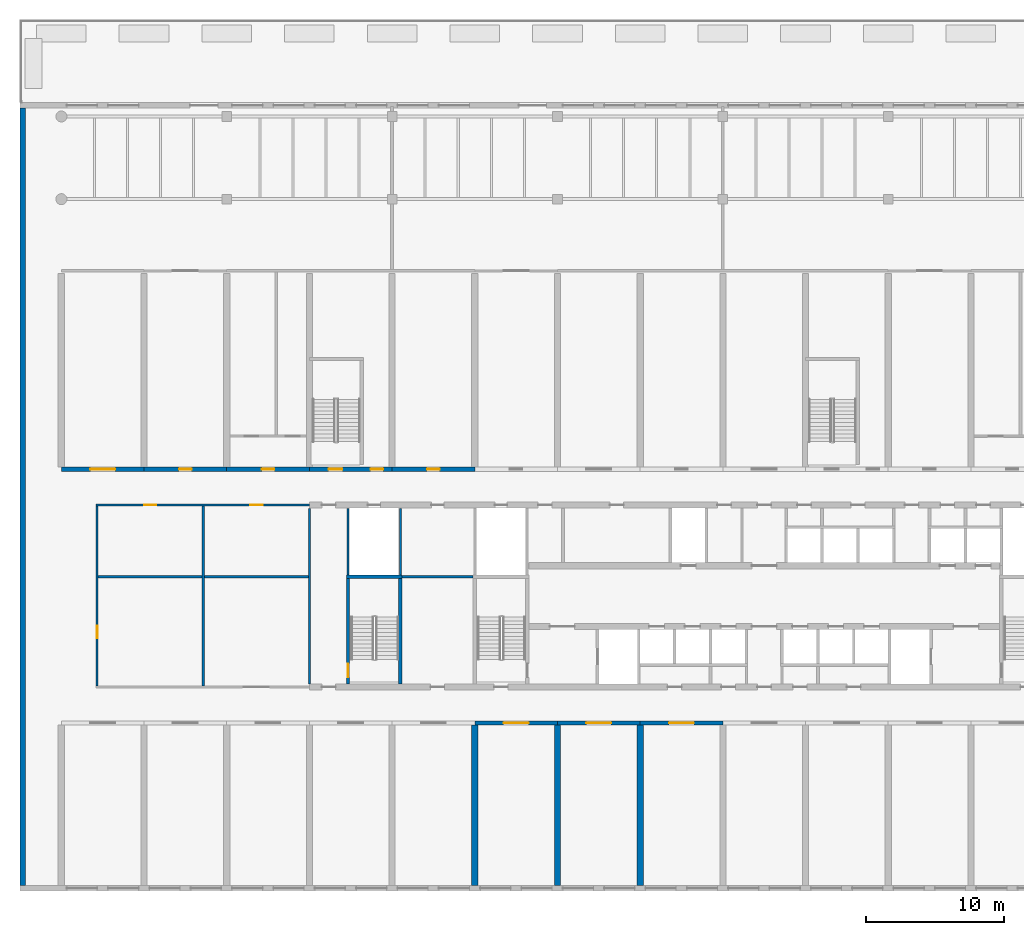
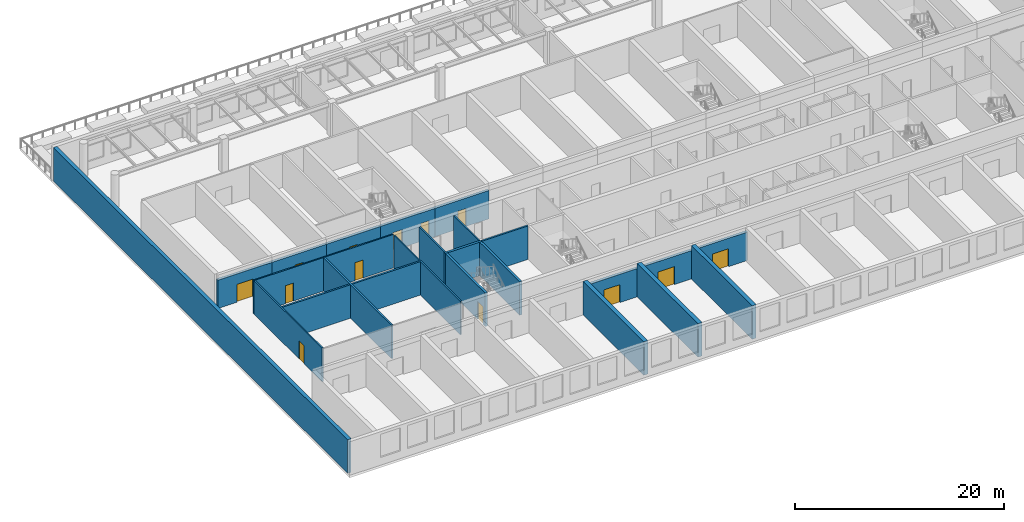
# One storey, part 3 of 16: 23 walls, 13 doors, 13 openings.
"""IFC4 building model written with IfcOpenShell, lengths in metres."""

from ifc_helpers import new_model, si_unit, direction, frame, frame_2d, origin, place, context, subcontext, project, spatial, rectangle, extrude, material, layer, layer_set, type_object, element, fill, save


model = new_model("IFC4")

# Units and contexts
model_context = context("Model", 3, precision=1e-05, world=origin(), true_north=direction((0.0, 1.0)))
body_context = subcontext(model_context, "Body", "Model", "MODEL_VIEW")
ifc_project = project(units=[si_unit("LENGTHUNIT", "METRE"), si_unit("AREAUNIT", "SQUARE_METRE"), si_unit("VOLUMEUNIT", "CUBIC_METRE"), si_unit("PLANEANGLEUNIT", "RADIAN"), si_unit("MASSUNIT", "GRAM", prefix="KILO")], contexts=[model_context])

# Site, building, storey
site_placement = place(None, origin())
site = spatial("IfcSite", under=ifc_project, at=site_placement, CompositionType="ELEMENT")
building_placement = place(site_placement, origin())
building = spatial("IfcBuilding", under=site, at=building_placement, Name="Poui Terraces", CompositionType="ELEMENT")
storey_placement = place(building_placement, frame((0.0, 0.0, 15.0)))
storey = spatial("IfcBuildingStorey", under=building, at=storey_placement, Name="L03", CompositionType="ELEMENT", Elevation=15.0)

# Walls
ifc_material_1 = material(Name="Fire-rated masonry wall", Category="masonry")
ifc_layer_1 = layer(ifc_material_1, 0.199951171875)
ifc_layer_set_1 = layer_set([ifc_layer_1], Name="Fire-rated masonry wall")
wall_type_1 = type_object("IfcWallType", Name="COMPARTMENT WALL 200", PredefinedType="PARTITIONING", material=ifc_layer_set_1)
wall_1_placement = place(storey_placement, frame((2.675048828125, 22.60009765625, 0.0), z_axis=(0.0, 0.0, 1.0), x_axis=(1.0, 0.0, 0.0)))
element("IfcWall", 1, at=wall_1_placement, inside=storey, type_object=wall_type_1, Name="COMPARTMENT WALL 200", PredefinedType="PARTITIONING", context=body_context, shape_type="SweptSolid", body=[
    extrude(rectangle(XDim=15.25, YDim=0.199951171875, at=frame_2d((7.625, 0.0))), origin(), (0.0, 0.0, 1.0), 3.919921875),
])
wall_2_placement = place(storey_placement, frame((24.735107421875, 22.60009765625, 0.0), z_axis=(0.0, 0.0, 1.0), x_axis=(1.0, 0.0, 0.0)))
element("IfcWall", 2, at=wall_2_placement, inside=storey, type_object=wall_type_1, Name="COMPARTMENT WALL 200", PredefinedType="PARTITIONING", context=body_context, shape_type="SweptSolid", body=[
    extrude(rectangle(XDim=5.1298828125, YDim=0.199951171875, at=frame_2d((2.56494140625, 0.0))), origin(), (0.0, 0.0, 1.0), 3.919921875),
])
wall_3_placement = place(storey_placement, frame((10.300048828125, 14.675048828125, 0.0), z_axis=(0.0, 0.0, 1.0), x_axis=(0.0, 1.0, 0.0)))
element("IfcWall", 3, at=wall_3_placement, inside=storey, type_object=wall_type_1, Name="COMPARTMENT WALL 200", PredefinedType="PARTITIONING", context=body_context, shape_type="SweptSolid", body=[
    extrude(rectangle(XDim=13.050048828125, YDim=0.199951171875, at=frame_2d((6.52490234375, 0.0))), origin(), (0.0, 0.0, 1.0), 3.919921875),
])

# Wall, openings, doors
ifc_material_2 = material(Name="Fire-rated plasterboard wall")
ifc_layer_2 = layer(ifc_material_2, 0.14990234375)
ifc_layer_set_2 = layer_set([ifc_layer_2], Name="Fire-rated plasterboard wall")
wall_type_2 = type_object("IfcWallType", Name="CORRIDOR WALL 150", PredefinedType="PARTITIONING", material=ifc_layer_set_2)
wall_4_placement = place(storey_placement, frame((2.52490234375, 27.800048828125, 0.0), z_axis=(0.0, 0.0, 1.0), x_axis=(1.0, 0.0, 0.0)))
wall_4 = element("IfcWall", 4, at=wall_4_placement, inside=storey, type_object=wall_type_2, Name="CORRIDOR WALL 150", PredefinedType="PARTITIONING", context=body_context, shape_type="SweptSolid", body=[
    extrude(rectangle(XDim=15.465087890625, YDim=0.14990234375, at=frame_2d((7.732421875, 0.0))), origin(), (0.0, 0.0, 1.0), 3.919921875),
])
opening_1_placement = place(wall_4_placement, frame((3.47509765625, 0.0, 0.0)))
opening_1 = element("IfcOpeningElement", 5, at=opening_1_placement, cuts=wall_4, Name="Opening D90", PredefinedType="OPENING", context=body_context, shape_type="SweptSolid", body=[
    extrude(rectangle(XDim=0.89990234375, YDim=2.10009765625, at=frame_2d((0.449951171875, 1.050048828125))), frame((0.0, 0.0849609375, 0.0), z_axis=(0.0, -1.0, 0.0), x_axis=(1.0, 0.0, 0.0)), (0.0, 0.0, 1.0), 0.169921875),
])
opening_2_placement = place(wall_4_placement, frame((11.175048828125, 0.0, 0.0)))
opening_2 = element("IfcOpeningElement", 6, at=opening_2_placement, cuts=wall_4, Name="Opening D90", PredefinedType="OPENING", context=body_context, shape_type="SweptSolid", body=[
    extrude(rectangle(XDim=0.89990234375, YDim=2.10009765625, at=frame_2d((0.449951171875, 1.050048828125))), frame((0.0, 0.0849609375, 0.0), z_axis=(0.0, -1.0, 0.0), x_axis=(1.0, 0.0, 0.0)), (0.0, 0.0, 1.0), 0.169921875),
])
ifc_material_3 = material(Name="Solid core timber door", Category="wood")
door_type_1 = type_object("IfcDoorType", Name="INTERNAL DOOR 900 X 2100", OperationType="NOTDEFINED", PredefinedType="DOOR", material=ifc_material_3)
door_1_placement = place(opening_1_placement, origin())
door_1 = element("IfcDoor", 7, at=door_1_placement, inside=storey, type_object=door_type_1, Name="INTERNAL DOOR 003", OperationType="SINGLE_SWING_LEFT", OverallHeight=2.10009765625, OverallWidth=0.89990234375, PredefinedType="DOOR", context=body_context, shape_type="SweptSolid", body=[
    extrude(rectangle(XDim=0.89990234375, YDim=2.10009765625, at=frame_2d((0.449951171875, 1.050048828125))), frame((0.0, 0.02490234375, 0.0), z_axis=(0.0, -1.0, 0.0), x_axis=(1.0, 0.0, 0.0)), (0.0, 0.0, 1.0), 0.050048828125),
])
fill(opening_1, door_1)
door_2_placement = place(opening_2_placement, origin())
door_2 = element("IfcDoor", 8, at=door_2_placement, inside=storey, type_object=door_type_1, Name="INTERNAL DOOR 005", OperationType="SINGLE_SWING_RIGHT", OverallHeight=2.10009765625, OverallWidth=0.89990234375, PredefinedType="DOOR", context=body_context, shape_type="SweptSolid", body=[
    extrude(rectangle(XDim=0.89990234375, YDim=2.10009765625, at=frame_2d((0.449951171875, 1.050048828125))), frame((0.0, 0.02490234375, 0.0), z_axis=(0.0, -1.0, 0.0), x_axis=(1.0, 0.0, 0.0)), (0.0, 0.0, 1.0), 0.050048828125),
])
fill(opening_2, door_2)

# Wall, opening, door
wall_5_placement = place(storey_placement, frame((2.60009765625, 14.675048828125, 0.0), z_axis=(0.0, 0.0, 1.0), x_axis=(0.0, 1.0, 0.0)))
wall_5 = element("IfcWall", 9, at=wall_5_placement, inside=storey, type_object=wall_type_2, Name="CORRIDOR WALL 150", PredefinedType="PARTITIONING", context=body_context, shape_type="SweptSolid", body=[
    extrude(rectangle(XDim=13.050048828125, YDim=0.14990234375, at=frame_2d((6.52490234375, 0.0))), origin(), (0.0, 0.0, 1.0), 3.919921875),
])
opening_3_placement = place(wall_5_placement, frame((3.47509765625, 0.0, 0.0)))
opening_3 = element("IfcOpeningElement", 10, at=opening_3_placement, cuts=wall_5, Name="Opening D90", PredefinedType="OPENING", context=body_context, shape_type="SweptSolid", body=[
    extrude(rectangle(XDim=0.89990234375, YDim=2.10009765625, at=frame_2d((0.449951171875, 1.050048828125))), frame((0.0, 0.0849609375, 0.0), z_axis=(0.0, -1.0, 0.0), x_axis=(1.0, 0.0, 0.0)), (0.0, 0.0, 1.0), 0.169921875),
])
door_3_placement = place(opening_3_placement, origin())
door_3 = element("IfcDoor", 11, at=door_3_placement, inside=storey, type_object=door_type_1, Name="INTERNAL DOOR 073", OperationType="SINGLE_SWING_LEFT", OverallHeight=2.10009765625, OverallWidth=0.89990234375, PredefinedType="DOOR", context=body_context, shape_type="SweptSolid", body=[
    extrude(rectangle(XDim=0.89990234375, YDim=2.10009765625, at=frame_2d((0.449951171875, 1.050048828125))), frame((0.0, 0.02490234375, 0.0), z_axis=(0.0, -1.0, 0.0), x_axis=(1.0, 0.0, 0.0)), (0.0, 0.0, 1.0), 0.050048828125),
])
fill(opening_3, door_3)

# Wall
wall_6_placement = place(storey_placement, frame((18.0, 14.8349609375, 0.0), z_axis=(0.0, 0.0, 1.0), x_axis=(0.0, 1.0, 0.0)))
element("IfcWall", 12, at=wall_6_placement, inside=storey, type_object=wall_type_2, Name="CORRIDOR WALL 150", PredefinedType="PARTITIONING", context=body_context, shape_type="SweptSolid", body=[
    extrude(rectangle(XDim=12.72998046875, YDim=0.14990234375, at=frame_2d((6.364990234375, 0.0))), origin(), (0.0, 0.0, 1.0), 3.919921875),
])

# Wall, opening, door
ifc_material_4 = material(Name="Concrete 80 MPa", Category="concrete")
ifc_layer_3 = layer(ifc_material_4, 0.300048828125)
ifc_layer_set_3 = layer_set([ifc_layer_3], Name="Concrete 80 MPa")
wall_type_3 = type_object("IfcWallType", Name="CORRIDOR WALL 300 80MPa", PredefinedType="SHEAR", material=ifc_layer_set_3)
wall_7_placement = place(storey_placement, frame((30.0, 12.0, 0.0), z_axis=(0.0, 0.0, 1.0), x_axis=(1.0, 0.0, 0.0)))
wall_7 = element("IfcWall", 13, at=wall_7_placement, inside=storey, type_object=wall_type_3, Name="CORRIDOR WALL LINE B BAY 6", PredefinedType="SHEAR", context=body_context, shape_type="SweptSolid", body=[
    extrude(rectangle(XDim=6.0, YDim=0.300048828125, at=frame_2d((3.0, 0.0))), origin(), (0.0, 0.0, 1.0), 3.320068359375),
])
opening_4_placement = place(wall_7_placement, frame((2.10009765625, 0.0, 0.0)))
opening_4 = element("IfcOpeningElement", 14, at=opening_4_placement, cuts=wall_7, Name="Opening DD180", PredefinedType="OPENING", context=body_context, shape_type="SweptSolid", body=[
    extrude(rectangle(XDim=1.800048828125, YDim=2.10009765625, at=frame_2d((0.89990234375, 1.050048828125))), frame((0.0, 0.16015625, 0.0), z_axis=(0.0, -1.0, 0.0), x_axis=(1.0, 0.0, 0.0)), (0.0, 0.0, 1.0), 0.320068359375),
])
ifc_material_5 = material(Name="Steel fire door", Category="steel")
door_type_2 = type_object("IfcDoorType", Name="DOUBLE INTERNAL DOOR 1800 X 2100", OperationType="DOUBLE_DOOR_SINGLE_SWING", PredefinedType="DOOR", material=ifc_material_5)
door_4_placement = place(opening_4_placement, origin())
door_4 = element("IfcDoor", 15, at=door_4_placement, inside=storey, type_object=door_type_2, Name="DOUBLE INTERNAL DOOR 052", OperationType="DOUBLE_DOOR_SINGLE_SWING", OverallHeight=2.10009765625, OverallWidth=1.800048828125, PredefinedType="DOOR", context=body_context, shape_type="SweptSolid", body=[
    extrude(rectangle(XDim=1.800048828125, YDim=2.10009765625, at=frame_2d((0.89990234375, 1.050048828125))), frame((0.0, 0.02490234375, 0.0), z_axis=(0.0, -1.0, 0.0), x_axis=(1.0, 0.0, 0.0)), (0.0, 0.0, 1.0), 0.050048828125),
])
fill(opening_4, door_4)

wall_8_placement = place(storey_placement, frame((36.0, 12.0, 0.0), z_axis=(0.0, 0.0, 1.0), x_axis=(1.0, 0.0, 0.0)))
wall_8 = element("IfcWall", 16, at=wall_8_placement, inside=storey, type_object=wall_type_3, Name="CORRIDOR WALL LINE B BAY 7", PredefinedType="SHEAR", context=body_context, shape_type="SweptSolid", body=[
    extrude(rectangle(XDim=6.0, YDim=0.300048828125, at=frame_2d((3.0, 0.0))), origin(), (0.0, 0.0, 1.0), 3.320068359375),
])
opening_5_placement = place(wall_8_placement, frame((2.10009765625, 0.0, 0.0)))
opening_5 = element("IfcOpeningElement", 17, at=opening_5_placement, cuts=wall_8, Name="Opening DD180", PredefinedType="OPENING", context=body_context, shape_type="SweptSolid", body=[
    extrude(rectangle(XDim=1.800048828125, YDim=2.10009765625, at=frame_2d((0.89990234375, 1.050048828125))), frame((0.0, 0.16015625, 0.0), z_axis=(0.0, -1.0, 0.0), x_axis=(1.0, 0.0, 0.0)), (0.0, 0.0, 1.0), 0.320068359375),
])
door_5_placement = place(opening_5_placement, origin())
door_5 = element("IfcDoor", 18, at=door_5_placement, inside=storey, type_object=door_type_2, Name="DOUBLE INTERNAL DOOR 053", OperationType="DOUBLE_DOOR_SINGLE_SWING", OverallHeight=2.10009765625, OverallWidth=1.800048828125, PredefinedType="DOOR", context=body_context, shape_type="SweptSolid", body=[
    extrude(rectangle(XDim=1.800048828125, YDim=2.10009765625, at=frame_2d((0.89990234375, 1.050048828125))), frame((0.0, 0.02490234375, 0.0), z_axis=(0.0, -1.0, 0.0), x_axis=(1.0, 0.0, 0.0)), (0.0, 0.0, 1.0), 0.050048828125),
])
fill(opening_5, door_5)

wall_9_placement = place(storey_placement, frame((42.0, 12.0, 0.0), z_axis=(0.0, 0.0, 1.0), x_axis=(1.0, 0.0, 0.0)))
wall_9 = element("IfcWall", 19, at=wall_9_placement, inside=storey, type_object=wall_type_3, Name="CORRIDOR WALL LINE B BAY 8", PredefinedType="SHEAR", context=body_context, shape_type="SweptSolid", body=[
    extrude(rectangle(XDim=6.0, YDim=0.300048828125, at=frame_2d((3.0, 0.0))), origin(), (0.0, 0.0, 1.0), 3.320068359375),
])
opening_6_placement = place(wall_9_placement, frame((2.10009765625, 0.0, 0.0)))
opening_6 = element("IfcOpeningElement", 20, at=opening_6_placement, cuts=wall_9, Name="Opening DD180", PredefinedType="OPENING", context=body_context, shape_type="SweptSolid", body=[
    extrude(rectangle(XDim=1.800048828125, YDim=2.10009765625, at=frame_2d((0.89990234375, 1.050048828125))), frame((0.0, 0.16015625, 0.0), z_axis=(0.0, -1.0, 0.0), x_axis=(1.0, 0.0, 0.0)), (0.0, 0.0, 1.0), 0.320068359375),
])
door_6_placement = place(opening_6_placement, origin())
door_6 = element("IfcDoor", 21, at=door_6_placement, inside=storey, type_object=door_type_2, Name="DOUBLE INTERNAL DOOR 055", OperationType="DOUBLE_DOOR_SINGLE_SWING", OverallHeight=2.10009765625, OverallWidth=1.800048828125, PredefinedType="DOOR", context=body_context, shape_type="SweptSolid", body=[
    extrude(rectangle(XDim=1.800048828125, YDim=2.10009765625, at=frame_2d((0.89990234375, 1.050048828125))), frame((0.0, 0.02490234375, 0.0), z_axis=(0.0, -1.0, 0.0), x_axis=(1.0, 0.0, 0.0)), (0.0, 0.0, 1.0), 0.050048828125),
])
fill(opening_6, door_6)

wall_10_placement = place(storey_placement, frame((0.0, 30.39990234375, 0.0), z_axis=(0.0, 0.0, 1.0), x_axis=(1.0, 0.0, 0.0)))
wall_10 = element("IfcWall", 22, at=wall_10_placement, inside=storey, type_object=wall_type_3, Name="CORRIDOR WALL LINE E BAY 1", PredefinedType="SHEAR", context=body_context, shape_type="SweptSolid", body=[
    extrude(rectangle(XDim=6.0, YDim=0.300048828125, at=frame_2d((3.0, 0.0))), origin(), (0.0, 0.0, 1.0), 3.320068359375),
])
opening_7_placement = place(wall_10_placement, frame((2.10009765625, 0.0, 0.0)))
opening_7 = element("IfcOpeningElement", 23, at=opening_7_placement, cuts=wall_10, Name="Opening DD180", PredefinedType="OPENING", context=body_context, shape_type="SweptSolid", body=[
    extrude(rectangle(XDim=1.800048828125, YDim=2.10009765625, at=frame_2d((0.89990234375, 1.050048828125))), frame((0.0, 0.16015625, 0.0), z_axis=(0.0, -1.0, 0.0), x_axis=(1.0, 0.0, 0.0)), (0.0, 0.0, 1.0), 0.320068359375),
])
door_7_placement = place(opening_7_placement, frame((1.800048828125, 0.0, 0.0), z_axis=(0.0, 0.0, 1.0), x_axis=(-1.0, 0.0, 0.0)))
door_7 = element("IfcDoor", 24, at=door_7_placement, inside=storey, type_object=door_type_2, Name="DOUBLE INTERNAL DOOR 002", OperationType="DOUBLE_DOOR_SINGLE_SWING", OverallHeight=2.10009765625, OverallWidth=1.800048828125, PredefinedType="DOOR", context=body_context, shape_type="SweptSolid", body=[
    extrude(rectangle(XDim=1.800048828125, YDim=2.10009765625, at=frame_2d((0.89990234375, 1.050048828125))), frame((0.0, 0.02490234375, 0.0), z_axis=(0.0, -1.0, 0.0), x_axis=(1.0, 0.0, 0.0)), (0.0, 0.0, 1.0), 0.050048828125),
])
fill(opening_7, door_7)

wall_11_placement = place(storey_placement, frame((6.0, 30.39990234375, 0.0), z_axis=(0.0, 0.0, 1.0), x_axis=(1.0, 0.0, 0.0)))
wall_11 = element("IfcWall", 25, at=wall_11_placement, inside=storey, type_object=wall_type_3, Name="CORRIDOR WALL LINE E BAY 2", PredefinedType="SHEAR", context=body_context, shape_type="SweptSolid", body=[
    extrude(rectangle(XDim=6.0, YDim=0.300048828125, at=frame_2d((3.0, 0.0))), origin(), (0.0, 0.0, 1.0), 3.320068359375),
])
opening_8_placement = place(wall_11_placement, frame((2.550048828125, 0.0, 0.0)))
opening_8 = element("IfcOpeningElement", 26, at=opening_8_placement, cuts=wall_11, Name="Opening D90", PredefinedType="OPENING", context=body_context, shape_type="SweptSolid", body=[
    extrude(rectangle(XDim=0.89990234375, YDim=2.10009765625, at=frame_2d((0.449951171875, 1.050048828125))), frame((0.0, 0.16015625, 0.0), z_axis=(0.0, -1.0, 0.0), x_axis=(1.0, 0.0, 0.0)), (0.0, 0.0, 1.0), 0.320068359375),
])
door_8_placement = place(opening_8_placement, frame((0.89990234375, 0.0, 0.0), z_axis=(0.0, 0.0, 1.0), x_axis=(-1.0, 0.0, 0.0)))
door_8 = element("IfcDoor", 27, at=door_8_placement, inside=storey, type_object=door_type_1, Name="INTERNAL DOOR 004", OperationType="SINGLE_SWING_LEFT", OverallHeight=2.10009765625, OverallWidth=0.89990234375, PredefinedType="DOOR", context=body_context, shape_type="SweptSolid", body=[
    extrude(rectangle(XDim=0.89990234375, YDim=2.10009765625, at=frame_2d((0.449951171875, 1.050048828125))), frame((0.0, 0.02490234375, 0.0), z_axis=(0.0, -1.0, 0.0), x_axis=(1.0, 0.0, 0.0)), (0.0, 0.0, 1.0), 0.050048828125),
])
fill(opening_8, door_8)

wall_12_placement = place(storey_placement, frame((12.0, 30.39990234375, 0.0), z_axis=(0.0, 0.0, 1.0), x_axis=(1.0, 0.0, 0.0)))
wall_12 = element("IfcWall", 28, at=wall_12_placement, inside=storey, type_object=wall_type_3, Name="CORRIDOR WALL LINE E BAY 3", PredefinedType="SHEAR", context=body_context, shape_type="SweptSolid", body=[
    extrude(rectangle(XDim=6.0, YDim=0.300048828125, at=frame_2d((3.0, 0.0))), origin(), (0.0, 0.0, 1.0), 3.320068359375),
])
opening_9_placement = place(wall_12_placement, frame((2.550048828125, 0.0, 0.0)))
opening_9 = element("IfcOpeningElement", 29, at=opening_9_placement, cuts=wall_12, Name="Opening D90", PredefinedType="OPENING", context=body_context, shape_type="SweptSolid", body=[
    extrude(rectangle(XDim=0.89990234375, YDim=2.10009765625, at=frame_2d((0.449951171875, 1.050048828125))), frame((0.0, 0.16015625, 0.0), z_axis=(0.0, -1.0, 0.0), x_axis=(1.0, 0.0, 0.0)), (0.0, 0.0, 1.0), 0.320068359375),
])
door_9_placement = place(opening_9_placement, frame((0.89990234375, 0.0, 0.0), z_axis=(0.0, 0.0, 1.0), x_axis=(-1.0, 0.0, 0.0)))
door_9 = element("IfcDoor", 30, at=door_9_placement, inside=storey, type_object=door_type_1, Name="INTERNAL DOOR 006", OperationType="SINGLE_SWING_RIGHT", OverallHeight=2.10009765625, OverallWidth=0.89990234375, PredefinedType="DOOR", context=body_context, shape_type="SweptSolid", body=[
    extrude(rectangle(XDim=0.89990234375, YDim=2.10009765625, at=frame_2d((0.449951171875, 1.050048828125))), frame((0.0, 0.02490234375, 0.0), z_axis=(0.0, -1.0, 0.0), x_axis=(1.0, 0.0, 0.0)), (0.0, 0.0, 1.0), 0.050048828125),
])
fill(opening_9, door_9)

# Wall, openings, doors
wall_13_placement = place(storey_placement, frame((18.0, 30.39990234375, 0.0), z_axis=(0.0, 0.0, 1.0), x_axis=(1.0, 0.0, 0.0)))
wall_13 = element("IfcWall", 31, at=wall_13_placement, inside=storey, type_object=wall_type_3, Name="CORRIDOR WALL LINE E BAY 4", PredefinedType="SHEAR", context=body_context, shape_type="SweptSolid", body=[
    extrude(rectangle(XDim=6.0, YDim=0.300048828125, at=frame_2d((3.0, 0.0))), origin(), (0.0, 0.0, 1.0), 3.320068359375),
])
opening_10_placement = place(wall_13_placement, frame((1.39990234375, 0.0, 0.0)))
opening_10 = element("IfcOpeningElement", 32, at=opening_10_placement, cuts=wall_13, Name="Opening FD60S", PredefinedType="OPENING", context=body_context, shape_type="SweptSolid", body=[
    extrude(rectangle(XDim=1.0, YDim=2.10009765625, at=frame_2d((0.5, 1.050048828125))), frame((0.0, 0.16015625, 0.0), z_axis=(0.0, -1.0, 0.0), x_axis=(1.0, 0.0, 0.0)), (0.0, 0.0, 1.0), 0.320068359375),
])
opening_11_placement = place(wall_13_placement, frame((4.449951171875, 0.0, 0.0)))
opening_11 = element("IfcOpeningElement", 33, at=opening_11_placement, cuts=wall_13, Name="Opening D90", PredefinedType="OPENING", context=body_context, shape_type="SweptSolid", body=[
    extrude(rectangle(XDim=0.89990234375, YDim=2.10009765625, at=frame_2d((0.449951171875, 1.050048828125))), frame((0.0, 0.16015625, 0.0), z_axis=(0.0, -1.0, 0.0), x_axis=(1.0, 0.0, 0.0)), (0.0, 0.0, 1.0), 0.320068359375),
])
door_10_placement = place(opening_11_placement, frame((0.89990234375, 0.0, 0.0), z_axis=(0.0, 0.0, 1.0), x_axis=(-1.0, 0.0, 0.0)))
door_10 = element("IfcDoor", 34, at=door_10_placement, inside=storey, type_object=door_type_1, Name="INTERNAL DOOR 010", OperationType="SINGLE_SWING_RIGHT", OverallHeight=2.10009765625, OverallWidth=0.89990234375, PredefinedType="DOOR", context=body_context, shape_type="SweptSolid", body=[
    extrude(rectangle(XDim=0.89990234375, YDim=2.10009765625, at=frame_2d((0.449951171875, 1.050048828125))), frame((0.0, 0.02490234375, 0.0), z_axis=(0.0, -1.0, 0.0), x_axis=(1.0, 0.0, 0.0)), (0.0, 0.0, 1.0), 0.050048828125),
])
fill(opening_11, door_10)
door_type_3 = type_object("IfcDoorType", Name="STAIR DOOR 1000 X 2100", OperationType="NOTDEFINED", PredefinedType="DOOR", material=ifc_material_5)
door_11_placement = place(opening_10_placement, origin())
door_11 = element("IfcDoor", 35, at=door_11_placement, inside=storey, type_object=door_type_3, Name="STAIR DOOR 008", OperationType="SINGLE_SWING_RIGHT", OverallHeight=2.10009765625, OverallWidth=1.0, PredefinedType="DOOR", context=body_context, shape_type="SweptSolid", body=[
    extrude(rectangle(XDim=1.0, YDim=2.10009765625, at=frame_2d((0.5, 1.050048828125))), frame((0.0, 0.02490234375, 0.0), z_axis=(0.0, -1.0, 0.0), x_axis=(1.0, 0.0, 0.0)), (0.0, 0.0, 1.0), 0.050048828125),
])
fill(opening_10, door_11)

# Wall, opening, door
wall_14_placement = place(storey_placement, frame((24.0, 30.39990234375, 0.0), z_axis=(0.0, 0.0, 1.0), x_axis=(1.0, 0.0, 0.0)))
wall_14 = element("IfcWall", 36, at=wall_14_placement, inside=storey, type_object=wall_type_3, Name="CORRIDOR WALL LINE E BAY 5", PredefinedType="SHEAR", context=body_context, shape_type="SweptSolid", body=[
    extrude(rectangle(XDim=6.0, YDim=0.300048828125, at=frame_2d((3.0, 0.0))), origin(), (0.0, 0.0, 1.0), 3.320068359375),
])
opening_12_placement = place(wall_14_placement, frame((2.550048828125, 0.0, 0.0)))
opening_12 = element("IfcOpeningElement", 37, at=opening_12_placement, cuts=wall_14, Name="Opening D90", PredefinedType="OPENING", context=body_context, shape_type="SweptSolid", body=[
    extrude(rectangle(XDim=0.89990234375, YDim=2.10009765625, at=frame_2d((0.449951171875, 1.050048828125))), frame((0.0, 0.16015625, 0.0), z_axis=(0.0, -1.0, 0.0), x_axis=(1.0, 0.0, 0.0)), (0.0, 0.0, 1.0), 0.320068359375),
])
door_12_placement = place(opening_12_placement, frame((0.89990234375, 0.0, 0.0), z_axis=(0.0, 0.0, 1.0), x_axis=(-1.0, 0.0, 0.0)))
door_12 = element("IfcDoor", 38, at=door_12_placement, inside=storey, type_object=door_type_1, Name="INTERNAL DOOR 011", OperationType="SINGLE_SWING_LEFT", OverallHeight=2.10009765625, OverallWidth=0.89990234375, PredefinedType="DOOR", context=body_context, shape_type="SweptSolid", body=[
    extrude(rectangle(XDim=0.89990234375, YDim=2.10009765625, at=frame_2d((0.449951171875, 1.050048828125))), frame((0.0, 0.02490234375, 0.0), z_axis=(0.0, -1.0, 0.0), x_axis=(1.0, 0.0, 0.0)), (0.0, 0.0, 1.0), 0.050048828125),
])
fill(opening_12, door_12)

# Walls
ifc_layer_4 = layer(ifc_material_4, 0.449951171875)
ifc_layer_set_4 = layer_set([ifc_layer_4], Name="Concrete 80 MPa")
wall_type_4 = type_object("IfcWallType", Name="CROSS WALL 450 80MPa", PredefinedType="SHEAR", material=ifc_layer_set_4)
for number, where, z_axis, x_axis, name in (
    (39, (30.0, 0.199951171875, 0.0), (0.0, 0.0, 1.0), (0.0, 1.0, 0.0), "CROSS WALL LINE 6 SOUTH"),
    (40, (36.0, 0.199951171875, 0.0), (0.0, 0.0, 1.0), (0.0, 1.0, 0.0), "CROSS WALL LINE 7 SOUTH"),
    (41, (42.0, 0.199951171875, 0.0), (0.0, 0.0, 1.0), (0.0, 1.0, 0.0), "CROSS WALL LINE 8 SOUTH"),
):
    element("IfcWall", number, at=place(storey_placement, frame(where, z_axis=z_axis, x_axis=x_axis)), inside=storey, type_object=wall_type_4, Name=name, PredefinedType="SHEAR", context=body_context, shape_type="SweptSolid", body=[
        extrude(rectangle(XDim=11.650146484375, YDim=0.449951171875, at=frame_2d((5.8251953125, 0.0))), origin(), (0.0, 0.0, 1.0), 3.919921875),
    ])
ifc_material_6 = material(Name="Precast concrete 40 MPa", Category="concrete")
ifc_layer_5 = layer(ifc_material_6, 0.39990234375)
ifc_layer_set_5 = layer_set([ifc_layer_5], Name="Precast concrete 40 MPa")
wall_type_5 = type_object("IfcWallType", Name="EXTERNAL WALL 400", PredefinedType="STANDARD", material=ifc_layer_set_5)
wall_15_placement = place(storey_placement, frame((-2.800048828125, 56.60009765625, 0.0), z_axis=(0.0, 0.0, 1.0), x_axis=(0.0, -1.0, 0.0)))
element("IfcWall", 42, at=wall_15_placement, inside=storey, type_object=wall_type_5, Name="EXTERNAL WALL W", PredefinedType="STANDARD", context=body_context, shape_type="SweptSolid", body=[
    extrude(rectangle(XDim=56.400146484375, YDim=0.39990234375, at=frame_2d((28.2001953125, 0.0))), origin(), (0.0, 0.0, 1.0), 3.919921875),
])
ifc_material_7 = material(Name="Fire-rated plasterboard riser wall")
ifc_layer_6 = layer(ifc_material_7, 0.14990234375)
ifc_layer_set_6 = layer_set([ifc_layer_6], Name="Fire-rated plasterboard riser wall")
wall_type_6 = type_object("IfcWallType", Name="RISER WALL 150", PredefinedType="PARTITIONING", material=ifc_layer_set_6)
for number, where, z_axis, x_axis, name in (
    (43, (20.800048828125, 22.735107421875, 0.0), (0.0, 0.0, 1.0), (0.0, 1.0, 0.0), "RISER WALL 150"),
    (44, (24.60009765625, 22.735107421875, 0.0), (0.0, 0.0, 1.0), (0.0, 1.0, 0.0), "RISER WALL 150"),
):
    element("IfcWall", number, at=place(storey_placement, frame(where, z_axis=z_axis, x_axis=x_axis)), inside=storey, type_object=wall_type_6, Name=name, PredefinedType="PARTITIONING", context=body_context, shape_type="SweptSolid", body=[
        extrude(rectangle(XDim=4.829833984375, YDim=0.14990234375, at=frame_2d((2.4150390625, 0.0))), origin(), (0.0, 0.0, 1.0), 3.919921875),
    ])

# Wall, opening, door
ifc_layer_7 = layer(ifc_material_4, 0.25)
ifc_layer_set_7 = layer_set([ifc_layer_7], Name="Concrete 80 MPa")
wall_type_7 = type_object("IfcWallType", Name="STAIR CORE WALL 250 80 MPA", PredefinedType="SOLIDWALL", material=ifc_layer_set_7)
wall_16_placement = place(storey_placement, frame((20.800048828125, 14.824951171875, 0.0), z_axis=(0.0, 0.0, 1.0), x_axis=(0.0, 1.0, 0.0)))
wall_16 = element("IfcWall", 45, at=wall_16_placement, inside=storey, type_object=wall_type_7, Name="STAIR CORE WALL", PredefinedType="SOLIDWALL", context=body_context, shape_type="SweptSolid", body=[
    extrude(rectangle(XDim=7.650146484375, YDim=0.25, at=frame_2d((3.8251953125, 0.0))), origin(), (0.0, 0.0, 1.0), 3.919921875),
])
opening_13_placement = place(wall_16_placement, frame((0.47509765625, 0.0, 0.0)))
opening_13 = element("IfcOpeningElement", 46, at=opening_13_placement, cuts=wall_16, Name="Opening FD60S", PredefinedType="OPENING", context=body_context, shape_type="SweptSolid", body=[
    extrude(rectangle(XDim=1.0, YDim=2.10009765625, at=frame_2d((0.5, 1.050048828125))), frame((0.0, 0.135009765625, 0.0), z_axis=(0.0, -1.0, 0.0), x_axis=(1.0, 0.0, 0.0)), (0.0, 0.0, 1.0), 0.27001953125),
])
door_13_placement = place(opening_13_placement, frame((1.0, 0.0, 0.0), z_axis=(0.0, 0.0, 1.0), x_axis=(-1.0, 0.0, 0.0)))
door_13 = element("IfcDoor", 47, at=door_13_placement, inside=storey, type_object=door_type_3, Name="STAIR DOOR 103", OperationType="SINGLE_SWING_RIGHT", OverallHeight=2.10009765625, OverallWidth=1.0, PredefinedType="DOOR", context=body_context, shape_type="SweptSolid", body=[
    extrude(rectangle(XDim=1.0, YDim=2.10009765625, at=frame_2d((0.5, 1.050048828125))), frame((0.0, 0.02490234375, 0.0), z_axis=(0.0, -1.0, 0.0), x_axis=(1.0, 0.0, 0.0)), (0.0, 0.0, 1.0), 0.050048828125),
])
fill(opening_13, door_13)

# Walls
wall_17_placement = place(storey_placement, frame((24.60009765625, 14.824951171875, 0.0), z_axis=(0.0, 0.0, 1.0), x_axis=(0.0, 1.0, 0.0)))
element("IfcWall", 48, at=wall_17_placement, inside=storey, type_object=wall_type_7, Name="STAIR CORE WALL", PredefinedType="SOLIDWALL", context=body_context, shape_type="SweptSolid", body=[
    extrude(rectangle(XDim=7.650146484375, YDim=0.25, at=frame_2d((3.8251953125, 0.0))), origin(), (0.0, 0.0, 1.0), 3.919921875),
])
wall_18_placement = place(storey_placement, frame((20.675048828125, 22.60009765625, 0.0), z_axis=(0.0, 0.0, 1.0), x_axis=(1.0, 0.0, 0.0)))
element("IfcWall", 49, at=wall_18_placement, inside=storey, type_object=wall_type_7, Name="STAIR CORE WALL", PredefinedType="SOLIDWALL", context=body_context, shape_type="SweptSolid", body=[
    extrude(rectangle(XDim=4.050048828125, YDim=0.25, at=frame_2d((2.02490234375, 0.0))), origin(), (0.0, 0.0, 1.0), 3.919921875),
])

save(model, "model.ifc")
